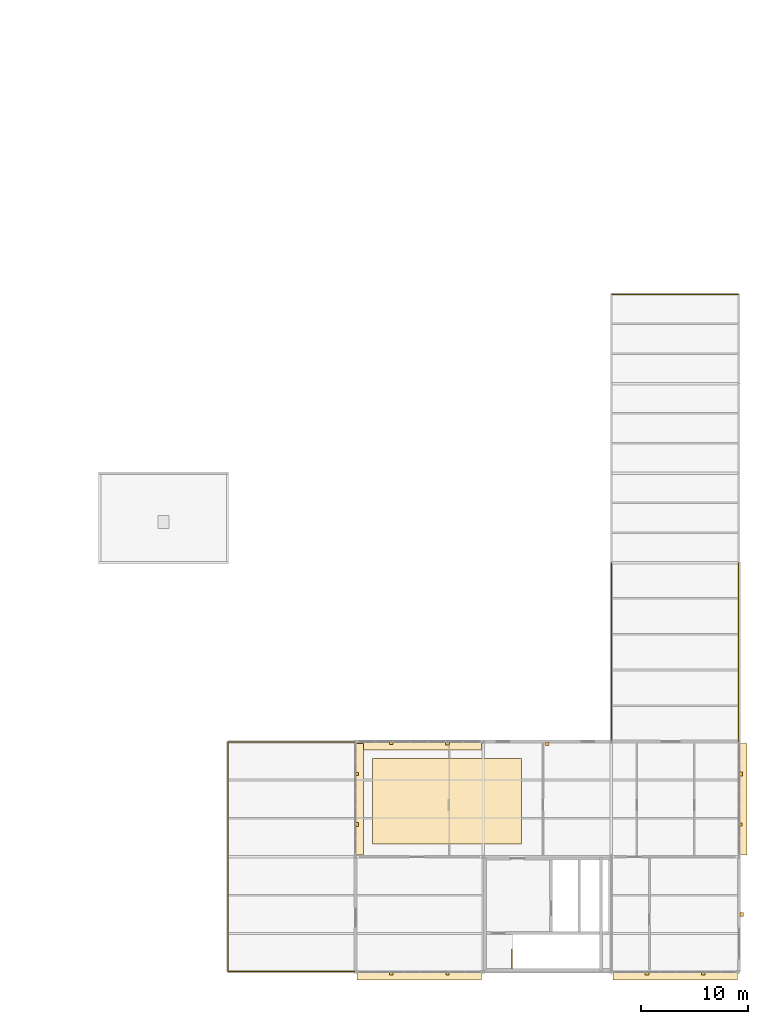
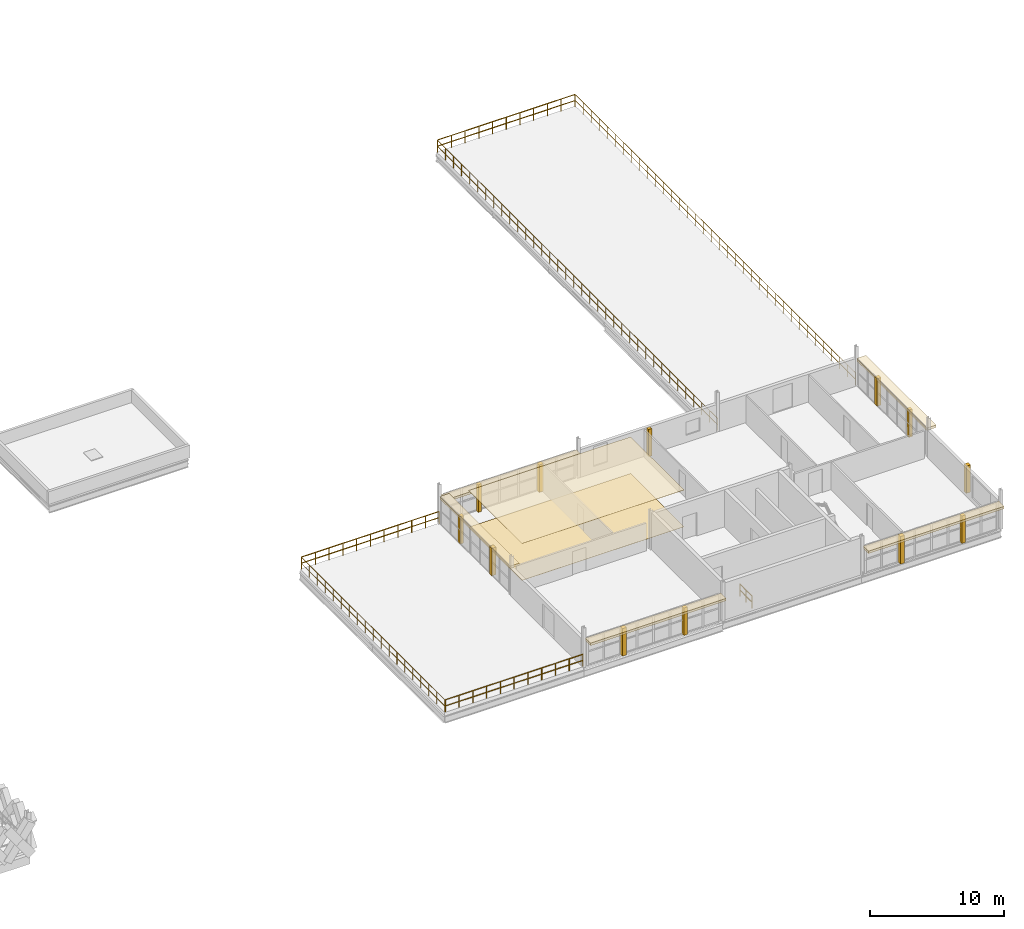
# One storey, part 62 of 62: 12 shading devices, 7 coverings, 7 railings.
"""IFC4 building model written with IfcOpenShell, lengths in metres."""

from ifc_helpers import new_model, si_unit, direction, frame, origin, origin_2d, place, context, subcontext, project, spatial, rectangle, circle, extrude, material, layer, layer_set, material_profile, profile_set, type_object, element, save


model = new_model("IFC4")

# Units and contexts
model_context = context("Model", 3, precision=1e-05, world=origin(), true_north=direction((0.0, 1.0)))
body_context = subcontext(model_context, "Body", "Model", "MODEL_VIEW")
ifc_project = project(units=[si_unit("LENGTHUNIT", "METRE"), si_unit("AREAUNIT", "SQUARE_METRE"), si_unit("VOLUMEUNIT", "CUBIC_METRE"), si_unit("PLANEANGLEUNIT", "RADIAN"), si_unit("MASSUNIT", "GRAM", prefix="KILO"), si_unit("THERMODYNAMICTEMPERATUREUNIT", "KELVIN"), si_unit("POWERUNIT", "WATT")], contexts=[model_context])

# Site, building, storey
site_placement = place(None, origin())
site = spatial("IfcSite", under=ifc_project, at=site_placement, CompositionType="ELEMENT")
building_placement = place(site_placement, origin())
building = spatial("IfcBuilding", under=site, at=building_placement, Name="Tembeka Court Mobility Hub", CompositionType="ELEMENT")
storey_placement = place(building_placement, frame((0.0, 0.0, 16.199951171875)))
storey = spatial("IfcBuildingStorey", under=building, at=storey_placement, Name="L04", CompositionType="ELEMENT", Elevation=16.199951171875)

# Coverings
ifc_material_1 = material(Name="Dressed ochre Nairobi volcanic-tuff cladding", Category="masonry")
ifc_layer_1 = layer(ifc_material_1, 0.0400390625)
ifc_layer_set_1 = layer_set([ifc_layer_1], Name="Dressed ochre Nairobi volcanic-tuff cladding")
covering_type_1 = type_object("IfcCoveringType", Name="COV-CD01", PredefinedType="CLADDING", material=ifc_layer_set_1)
for number, where, z_axis, x_axis, name in (
    (1, (146.39990234375, -0.360107421875, 2.30517578125), (0.0, 0.0, 1.0), (1.0, 0.0, 0.0), "Projecting volcanic-tuff solar hood CVD1-H034"),
    (2, (170.39990234375, -0.360107421875, 2.30517578125), (0.0, 0.0, 1.0), (1.0, 0.0, 0.0), "Projecting volcanic-tuff solar hood CVD1-H035"),
):
    element("IfcCovering", number, at=place(storey_placement, frame(where, z_axis=z_axis, x_axis=x_axis)), inside=storey, type_object=covering_type_1, Name=name, PredefinedType="CLADDING", context=body_context, shape_type="SweptSolid", body=[
        extrude(rectangle(XDim=11.699951171875, YDim=0.800048828125, at=origin_2d()), origin(), (0.0, 0.0, 1.0), 0.219970703125),
    ])
covering_1_placement = place(storey_placement, frame((176.760009765625, 16.199951171875, 2.30517578125), z_axis=(0.0, 0.0, 1.0), x_axis=(0.0, 1.0, 0.0)))
element("IfcCovering", 3, at=covering_1_placement, inside=storey, type_object=covering_type_1, Name="Projecting volcanic-tuff solar hood CVD1-H036", PredefinedType="CLADDING", context=body_context, shape_type="SweptSolid", body=[
    extrude(rectangle(XDim=10.5, YDim=0.800048828125, at=origin_2d()), origin(), (0.0, 0.0, 1.0), 0.219970703125),
])
covering_2_placement = place(storey_placement, frame((146.39990234375, 21.239990234375, 2.30517578125), z_axis=(0.0, 0.0, 1.0), x_axis=(1.0, 0.0, 0.0)))
element("IfcCovering", 4, at=covering_2_placement, inside=storey, type_object=covering_type_1, Name="Projecting volcanic-tuff solar hood CVD1-H037", PredefinedType="CLADDING", context=body_context, shape_type="SweptSolid", body=[
    extrude(rectangle(XDim=11.699951171875, YDim=0.800048828125, at=origin_2d()), origin(), (0.0, 0.0, 1.0), 0.219970703125),
])
covering_3_placement = place(storey_placement, frame((140.760009765625, 16.199951171875, 2.30517578125), z_axis=(0.0, 0.0, 1.0), x_axis=(0.0, 1.0, 0.0)))
element("IfcCovering", 5, at=covering_3_placement, inside=storey, type_object=covering_type_1, Name="Projecting volcanic-tuff solar hood CVD1-H038", PredefinedType="CLADDING", context=body_context, shape_type="SweptSolid", body=[
    extrude(rectangle(XDim=10.5, YDim=0.800048828125, at=origin_2d()), origin(), (0.0, 0.0, 1.0), 0.219970703125),
])
ifc_material_2 = material(Name="Perforated acoustic mineral-fibre ceiling tile", Category="masonry")
ifc_layer_2 = layer(ifc_material_2, 0.02490234375)
ifc_layer_set_2 = layer_set([ifc_layer_2], Name="Perforated acoustic mineral-fibre ceiling tile")
covering_type_2 = type_object("IfcCoveringType", Name="COV-CL01", PredefinedType="CEILING", material=ifc_layer_set_2)
covering_4_placement = place(storey_placement, frame((149.0, 16.0, 3.349609375), z_axis=(0.0, 0.0, 1.0), x_axis=(1.0, 0.0, 0.0)))
element("IfcCovering", 6, at=covering_4_placement, inside=storey, type_object=covering_type_2, Name="Acoustic ceiling panel CVC1-07", PredefinedType="CEILING", context=body_context, shape_type="SweptSolid", body=[
    extrude(rectangle(XDim=14.0, YDim=8.0, at=origin_2d()), origin(), (0.0, 0.0, 1.0), 0.02490234375),
])
ifc_material_3 = material(Name="Honed Nairobi granite concourse flooring", Category="masonry")
ifc_layer_3 = layer(ifc_material_3, 0.02001953125)
ifc_layer_set_3 = layer_set([ifc_layer_3], Name="Honed Nairobi granite concourse flooring")
covering_type_3 = type_object("IfcCoveringType", Name="COV-FL01", PredefinedType="FLOORING", material=ifc_layer_set_3)
covering_5_placement = place(storey_placement, frame((149.0, 16.0, -0.001953125), z_axis=(0.0, 0.0, 1.0), x_axis=(1.0, 0.0, 0.0)))
element("IfcCovering", 7, at=covering_5_placement, inside=storey, type_object=covering_type_3, Name="Honed granite floor finish CVF1-07", PredefinedType="FLOORING", context=body_context, shape_type="SweptSolid", body=[
    extrude(rectangle(XDim=14.0, YDim=8.0, at=origin_2d()), origin(), (0.0, 0.0, 1.0), 0.02001953125),
])

# Railings
ifc_material_4 = material(Name="Painted galvanised steel balustrade", Category="steel")
railing_type_1 = type_object("IfcRailingType", Name="RL-GR01", PredefinedType="GUARDRAIL", material=ifc_material_4)
railing_1_placement = place(storey_placement, frame((155.10009765625, 0.300048828125, 0.0)))
element("IfcRailing", 8, at=railing_1_placement, inside=storey, type_object=railing_type_1, Name="L04 ST06 top well guard 1-1", PredefinedType="GUARDRAIL", context=body_context, shape_type="SweptSolid", body=[
    extrude(circle(Radius=0.02392578125, at=origin_2d()), frame((0.0, 0.0, 1.09619140625), z_axis=(0.0, 1.0, 0.0), x_axis=(-1.0, 0.0, 0.0)), (0.0, 0.0, 1.0), 1.800048828125),
    extrude(circle(Radius=0.02392578125, at=origin_2d()), frame((0.0, 0.0, 0.5361328125), z_axis=(0.0, 1.0, 0.0), x_axis=(-1.0, 0.0, 0.0)), (0.0, 0.0, 1.0), 1.800048828125),
    extrude(circle(Radius=0.02099609375, at=origin_2d()), origin(), (0.0, 0.0, 1.0), 1.072021484375),
    extrude(circle(Radius=0.02099609375, at=origin_2d()), frame((0.0, 0.89990234375, 0.0)), (0.0, 0.0, 1.0), 1.072021484375),
    extrude(circle(Radius=0.02099609375, at=origin_2d()), frame((0.0, 1.800048828125, 0.0)), (0.0, 0.0, 1.0), 1.072021484375),
])
railing_type_2 = type_object("IfcRailingType", Name="RL-GR02", PredefinedType="GUARDRAIL", material=ifc_material_4)
railing_2_placement = place(storey_placement, frame((164.449951171875, 21.6298828125, 0.0)))
element("IfcRailing", 9, at=railing_2_placement, inside=storey, type_object=railing_type_2, Name="Perimeter guard GR02-0028", PredefinedType="GUARDRAIL", context=body_context, shape_type="SweptSolid", body=[
    extrude(circle(Radius=0.02392578125, at=origin_2d()), frame((0.0, 0.0, 1.09619140625), z_axis=(0.0, 1.0, 0.0), x_axis=(-1.0, 0.0, 0.0)), (0.0, 0.0, 1.0), 41.89013671875),
    extrude(circle(Radius=0.02392578125, at=origin_2d()), frame((0.0, 0.0, 0.5361328125), z_axis=(0.0, 1.0, 0.0), x_axis=(-1.0, 0.0, 0.0)), (0.0, 0.0, 1.0), 41.89013671875),
    extrude(circle(Radius=0.02099609375, at=origin_2d()), origin(), (0.0, 0.0, 1.0), 1.072021484375),
    extrude(circle(Radius=0.02099609375, at=origin_2d()), frame((0.0, 1.19677734375, 0.0)), (0.0, 0.0, 1.0), 1.072021484375),
    extrude(circle(Radius=0.02099609375, at=origin_2d()), frame((0.0, 2.393798828125, 0.0)), (0.0, 0.0, 1.0), 1.072021484375),
    extrude(circle(Radius=0.02099609375, at=origin_2d()), frame((0.0, 3.590576171875, 0.0)), (0.0, 0.0, 1.0), 1.072021484375),
    extrude(circle(Radius=0.02099609375, at=origin_2d()), frame((0.0, 4.787353515625, 0.0)), (0.0, 0.0, 1.0), 1.072021484375),
    extrude(circle(Radius=0.02099609375, at=origin_2d()), frame((0.0, 5.984375, 0.0)), (0.0, 0.0, 1.0), 1.072021484375),
    extrude(circle(Radius=0.02099609375, at=origin_2d()), frame((0.0, 7.18115234375, 0.0)), (0.0, 0.0, 1.0), 1.072021484375),
    extrude(circle(Radius=0.02099609375, at=origin_2d()), frame((0.0, 8.3779296875, 0.0)), (0.0, 0.0, 1.0), 1.072021484375),
    extrude(circle(Radius=0.02099609375, at=origin_2d()), frame((0.0, 9.574951171875, 0.0)), (0.0, 0.0, 1.0), 1.072021484375),
    extrude(circle(Radius=0.02099609375, at=origin_2d()), frame((0.0, 10.771728515625, 0.0)), (0.0, 0.0, 1.0), 1.072021484375),
    extrude(circle(Radius=0.02099609375, at=origin_2d()), frame((0.0, 11.968505859375, 0.0)), (0.0, 0.0, 1.0), 1.072021484375),
    extrude(circle(Radius=0.02099609375, at=origin_2d()), frame((0.0, 13.16552734375, 0.0)), (0.0, 0.0, 1.0), 1.072021484375),
    extrude(circle(Radius=0.02099609375, at=origin_2d()), frame((0.0, 14.3623046875, 0.0)), (0.0, 0.0, 1.0), 1.072021484375),
    extrude(circle(Radius=0.02099609375, at=origin_2d()), frame((0.0, 15.55908203125, 0.0)), (0.0, 0.0, 1.0), 1.072021484375),
    extrude(circle(Radius=0.02099609375, at=origin_2d()), frame((0.0, 16.756103515625, 0.0)), (0.0, 0.0, 1.0), 1.072021484375),
    extrude(circle(Radius=0.02099609375, at=origin_2d()), frame((0.0, 17.952880859375, 0.0)), (0.0, 0.0, 1.0), 1.072021484375),
    extrude(circle(Radius=0.02099609375, at=origin_2d()), frame((0.0, 19.149658203125, 0.0)), (0.0, 0.0, 1.0), 1.072021484375),
    extrude(circle(Radius=0.02099609375, at=origin_2d()), frame((0.0, 20.3466796875, 0.0)), (0.0, 0.0, 1.0), 1.072021484375),
    extrude(circle(Radius=0.02099609375, at=origin_2d()), frame((0.0, 21.54345703125, 0.0)), (0.0, 0.0, 1.0), 1.072021484375),
    extrude(circle(Radius=0.02099609375, at=origin_2d()), frame((0.0, 22.740478515625, 0.0)), (0.0, 0.0, 1.0), 1.072021484375),
    extrude(circle(Radius=0.02099609375, at=origin_2d()), frame((0.0, 23.937255859375, 0.0)), (0.0, 0.0, 1.0), 1.072021484375),
    extrude(circle(Radius=0.02099609375, at=origin_2d()), frame((0.0, 25.134033203125, 0.0)), (0.0, 0.0, 1.0), 1.072021484375),
    extrude(circle(Radius=0.02099609375, at=origin_2d()), frame((0.0, 26.3310546875, 0.0)), (0.0, 0.0, 1.0), 1.072021484375),
    extrude(circle(Radius=0.02099609375, at=origin_2d()), frame((0.0, 27.52783203125, 0.0)), (0.0, 0.0, 1.0), 1.072021484375),
    extrude(circle(Radius=0.02099609375, at=origin_2d()), frame((0.0, 28.724609375, 0.0)), (0.0, 0.0, 1.0), 1.072021484375),
    extrude(circle(Radius=0.02099609375, at=origin_2d()), frame((0.0, 29.921630859375, 0.0)), (0.0, 0.0, 1.0), 1.072021484375),
    extrude(circle(Radius=0.02099609375, at=origin_2d()), frame((0.0, 31.118408203125, 0.0)), (0.0, 0.0, 1.0), 1.072021484375),
    extrude(circle(Radius=0.02099609375, at=origin_2d()), frame((0.0, 32.315185546875, 0.0)), (0.0, 0.0, 1.0), 1.072021484375),
    extrude(circle(Radius=0.02099609375, at=origin_2d()), frame((0.0, 33.51220703125, 0.0)), (0.0, 0.0, 1.0), 1.072021484375),
    extrude(circle(Radius=0.02099609375, at=origin_2d()), frame((0.0, 34.708984375, 0.0)), (0.0, 0.0, 1.0), 1.072021484375),
    extrude(circle(Radius=0.02099609375, at=origin_2d()), frame((0.0, 35.90576171875, 0.0)), (0.0, 0.0, 1.0), 1.072021484375),
    extrude(circle(Radius=0.02099609375, at=origin_2d()), frame((0.0, 37.102783203125, 0.0)), (0.0, 0.0, 1.0), 1.072021484375),
    extrude(circle(Radius=0.02099609375, at=origin_2d()), frame((0.0, 38.299560546875, 0.0)), (0.0, 0.0, 1.0), 1.072021484375),
    extrude(circle(Radius=0.02099609375, at=origin_2d()), frame((0.0, 39.496337890625, 0.0)), (0.0, 0.0, 1.0), 1.072021484375),
    extrude(circle(Radius=0.02099609375, at=origin_2d()), frame((0.0, 40.693359375, 0.0)), (0.0, 0.0, 1.0), 1.072021484375),
    extrude(circle(Radius=0.02099609375, at=origin_2d()), frame((0.0, 41.89013671875, 0.0)), (0.0, 0.0, 1.0), 1.072021484375),
])
railing_3_placement = place(storey_placement, frame((164.47998046875, 63.550048828125, 0.0)))
element("IfcRailing", 10, at=railing_3_placement, inside=storey, type_object=railing_type_2, Name="Perimeter guard GR02-0029", PredefinedType="GUARDRAIL", context=body_context, shape_type="SweptSolid", body=[
    extrude(circle(Radius=0.02392578125, at=origin_2d()), frame((0.0, 0.0, 1.09619140625), z_axis=(1.0, 0.0, 0.0), x_axis=(0.0, 1.0, 0.0)), (0.0, 0.0, 1.0), 11.840087890625),
    extrude(circle(Radius=0.02392578125, at=origin_2d()), frame((0.0, 0.0, 0.5361328125), z_axis=(1.0, 0.0, 0.0), x_axis=(0.0, 1.0, 0.0)), (0.0, 0.0, 1.0), 11.840087890625),
    extrude(circle(Radius=0.02099609375, at=origin_2d()), origin(), (0.0, 0.0, 1.0), 1.072021484375),
    extrude(circle(Radius=0.02099609375, at=origin_2d()), frame((1.18408203125, 0.0, 0.0)), (0.0, 0.0, 1.0), 1.072021484375),
    extrude(circle(Radius=0.02099609375, at=origin_2d()), frame((2.367919921875, 0.0, 0.0)), (0.0, 0.0, 1.0), 1.072021484375),
    extrude(circle(Radius=0.02099609375, at=origin_2d()), frame((3.552001953125, 0.0, 0.0)), (0.0, 0.0, 1.0), 1.072021484375),
    extrude(circle(Radius=0.02099609375, at=origin_2d()), frame((4.736083984375, 0.0, 0.0)), (0.0, 0.0, 1.0), 1.072021484375),
    extrude(circle(Radius=0.02099609375, at=origin_2d()), frame((5.919921875, 0.0, 0.0)), (0.0, 0.0, 1.0), 1.072021484375),
    extrude(circle(Radius=0.02099609375, at=origin_2d()), frame((7.10400390625, 0.0, 0.0)), (0.0, 0.0, 1.0), 1.072021484375),
    extrude(circle(Radius=0.02099609375, at=origin_2d()), frame((8.2880859375, 0.0, 0.0)), (0.0, 0.0, 1.0), 1.072021484375),
    extrude(circle(Radius=0.02099609375, at=origin_2d()), frame((9.47216796875, 0.0, 0.0)), (0.0, 0.0, 1.0), 1.072021484375),
    extrude(circle(Radius=0.02099609375, at=origin_2d()), frame((10.656005859375, 0.0, 0.0)), (0.0, 0.0, 1.0), 1.072021484375),
    extrude(circle(Radius=0.02099609375, at=origin_2d()), frame((11.840087890625, 0.0, 0.0)), (0.0, 0.0, 1.0), 1.072021484375),
])
railing_4_placement = place(storey_placement, frame((176.35009765625, 63.52001953125, 0.0)))
element("IfcRailing", 11, at=railing_4_placement, inside=storey, type_object=railing_type_2, Name="Perimeter guard GR02-0030", PredefinedType="GUARDRAIL", context=body_context, shape_type="SweptSolid", body=[
    extrude(circle(Radius=0.02392578125, at=origin_2d()), frame((0.0, 0.0, 1.09619140625), z_axis=(0.0, -1.0, 0.0), x_axis=(1.0, 0.0, 0.0)), (0.0, 0.0, 1.0), 41.89013671875),
    extrude(circle(Radius=0.02392578125, at=origin_2d()), frame((0.0, 0.0, 0.5361328125), z_axis=(0.0, -1.0, 0.0), x_axis=(1.0, 0.0, 0.0)), (0.0, 0.0, 1.0), 41.89013671875),
    extrude(circle(Radius=0.02099609375, at=origin_2d()), origin(), (0.0, 0.0, 1.0), 1.072021484375),
    extrude(circle(Radius=0.02099609375, at=origin_2d()), frame((0.0, -1.19677734375, 0.0)), (0.0, 0.0, 1.0), 1.072021484375),
    extrude(circle(Radius=0.02099609375, at=origin_2d()), frame((0.0, -2.393798828125, 0.0)), (0.0, 0.0, 1.0), 1.072021484375),
    extrude(circle(Radius=0.02099609375, at=origin_2d()), frame((0.0, -3.590576171875, 0.0)), (0.0, 0.0, 1.0), 1.072021484375),
    extrude(circle(Radius=0.02099609375, at=origin_2d()), frame((0.0, -4.787353515625, 0.0)), (0.0, 0.0, 1.0), 1.072021484375),
    extrude(circle(Radius=0.02099609375, at=origin_2d()), frame((0.0, -5.984375, 0.0)), (0.0, 0.0, 1.0), 1.072021484375),
    extrude(circle(Radius=0.02099609375, at=origin_2d()), frame((0.0, -7.18115234375, 0.0)), (0.0, 0.0, 1.0), 1.072021484375),
    extrude(circle(Radius=0.02099609375, at=origin_2d()), frame((0.0, -8.3779296875, 0.0)), (0.0, 0.0, 1.0), 1.072021484375),
    extrude(circle(Radius=0.02099609375, at=origin_2d()), frame((0.0, -9.574951171875, 0.0)), (0.0, 0.0, 1.0), 1.072021484375),
    extrude(circle(Radius=0.02099609375, at=origin_2d()), frame((0.0, -10.771728515625, 0.0)), (0.0, 0.0, 1.0), 1.072021484375),
    extrude(circle(Radius=0.02099609375, at=origin_2d()), frame((0.0, -11.968505859375, 0.0)), (0.0, 0.0, 1.0), 1.072021484375),
    extrude(circle(Radius=0.02099609375, at=origin_2d()), frame((0.0, -13.16552734375, 0.0)), (0.0, 0.0, 1.0), 1.072021484375),
    extrude(circle(Radius=0.02099609375, at=origin_2d()), frame((0.0, -14.3623046875, 0.0)), (0.0, 0.0, 1.0), 1.072021484375),
    extrude(circle(Radius=0.02099609375, at=origin_2d()), frame((0.0, -15.55908203125, 0.0)), (0.0, 0.0, 1.0), 1.072021484375),
    extrude(circle(Radius=0.02099609375, at=origin_2d()), frame((0.0, -16.756103515625, 0.0)), (0.0, 0.0, 1.0), 1.072021484375),
    extrude(circle(Radius=0.02099609375, at=origin_2d()), frame((0.0, -17.952880859375, 0.0)), (0.0, 0.0, 1.0), 1.072021484375),
    extrude(circle(Radius=0.02099609375, at=origin_2d()), frame((0.0, -19.149658203125, 0.0)), (0.0, 0.0, 1.0), 1.072021484375),
    extrude(circle(Radius=0.02099609375, at=origin_2d()), frame((0.0, -20.3466796875, 0.0)), (0.0, 0.0, 1.0), 1.072021484375),
    extrude(circle(Radius=0.02099609375, at=origin_2d()), frame((0.0, -21.54345703125, 0.0)), (0.0, 0.0, 1.0), 1.072021484375),
    extrude(circle(Radius=0.02099609375, at=origin_2d()), frame((0.0, -22.740478515625, 0.0)), (0.0, 0.0, 1.0), 1.072021484375),
    extrude(circle(Radius=0.02099609375, at=origin_2d()), frame((0.0, -23.937255859375, 0.0)), (0.0, 0.0, 1.0), 1.072021484375),
    extrude(circle(Radius=0.02099609375, at=origin_2d()), frame((0.0, -25.134033203125, 0.0)), (0.0, 0.0, 1.0), 1.072021484375),
    extrude(circle(Radius=0.02099609375, at=origin_2d()), frame((0.0, -26.3310546875, 0.0)), (0.0, 0.0, 1.0), 1.072021484375),
    extrude(circle(Radius=0.02099609375, at=origin_2d()), frame((0.0, -27.52783203125, 0.0)), (0.0, 0.0, 1.0), 1.072021484375),
    extrude(circle(Radius=0.02099609375, at=origin_2d()), frame((0.0, -28.724609375, 0.0)), (0.0, 0.0, 1.0), 1.072021484375),
    extrude(circle(Radius=0.02099609375, at=origin_2d()), frame((0.0, -29.921630859375, 0.0)), (0.0, 0.0, 1.0), 1.072021484375),
    extrude(circle(Radius=0.02099609375, at=origin_2d()), frame((0.0, -31.118408203125, 0.0)), (0.0, 0.0, 1.0), 1.072021484375),
    extrude(circle(Radius=0.02099609375, at=origin_2d()), frame((0.0, -32.315185546875, 0.0)), (0.0, 0.0, 1.0), 1.072021484375),
    extrude(circle(Radius=0.02099609375, at=origin_2d()), frame((0.0, -33.51220703125, 0.0)), (0.0, 0.0, 1.0), 1.072021484375),
    extrude(circle(Radius=0.02099609375, at=origin_2d()), frame((0.0, -34.708984375, 0.0)), (0.0, 0.0, 1.0), 1.072021484375),
    extrude(circle(Radius=0.02099609375, at=origin_2d()), frame((0.0, -35.90576171875, 0.0)), (0.0, 0.0, 1.0), 1.072021484375),
    extrude(circle(Radius=0.02099609375, at=origin_2d()), frame((0.0, -37.102783203125, 0.0)), (0.0, 0.0, 1.0), 1.072021484375),
    extrude(circle(Radius=0.02099609375, at=origin_2d()), frame((0.0, -38.299560546875, 0.0)), (0.0, 0.0, 1.0), 1.072021484375),
    extrude(circle(Radius=0.02099609375, at=origin_2d()), frame((0.0, -39.496337890625, 0.0)), (0.0, 0.0, 1.0), 1.072021484375),
    extrude(circle(Radius=0.02099609375, at=origin_2d()), frame((0.0, -40.693359375, 0.0)), (0.0, 0.0, 1.0), 1.072021484375),
    extrude(circle(Radius=0.02099609375, at=origin_2d()), frame((0.0, -41.89013671875, 0.0)), (0.0, 0.0, 1.0), 1.072021484375),
])
railing_5_placement = place(storey_placement, frame((140.3701171875, 0.050048828125, 0.0)))
element("IfcRailing", 12, at=railing_5_placement, inside=storey, type_object=railing_type_2, Name="Perimeter guard GR02-0031", PredefinedType="GUARDRAIL", context=body_context, shape_type="SweptSolid", body=[
    extrude(circle(Radius=0.02392578125, at=origin_2d()), frame((0.0, 0.0, 1.09619140625), z_axis=(-1.0, 0.0, 0.0), x_axis=(0.0, -1.0, 0.0)), (0.0, 0.0, 1.0), 11.89013671875),
    extrude(circle(Radius=0.02392578125, at=origin_2d()), frame((0.0, 0.0, 0.5361328125), z_axis=(-1.0, 0.0, 0.0), x_axis=(0.0, -1.0, 0.0)), (0.0, 0.0, 1.0), 11.89013671875),
    extrude(circle(Radius=0.02099609375, at=origin_2d()), origin(), (0.0, 0.0, 1.0), 1.072021484375),
    extrude(circle(Radius=0.02099609375, at=origin_2d()), frame((-1.18896484375, 0.0, 0.0)), (0.0, 0.0, 1.0), 1.072021484375),
    extrude(circle(Radius=0.02099609375, at=origin_2d()), frame((-2.3779296875, 0.0, 0.0)), (0.0, 0.0, 1.0), 1.072021484375),
    extrude(circle(Radius=0.02099609375, at=origin_2d()), frame((-3.567138671875, 0.0, 0.0)), (0.0, 0.0, 1.0), 1.072021484375),
    extrude(circle(Radius=0.02099609375, at=origin_2d()), frame((-4.756103515625, 0.0, 0.0)), (0.0, 0.0, 1.0), 1.072021484375),
    extrude(circle(Radius=0.02099609375, at=origin_2d()), frame((-5.945068359375, 0.0, 0.0)), (0.0, 0.0, 1.0), 1.072021484375),
    extrude(circle(Radius=0.02099609375, at=origin_2d()), frame((-7.134033203125, 0.0, 0.0)), (0.0, 0.0, 1.0), 1.072021484375),
    extrude(circle(Radius=0.02099609375, at=origin_2d()), frame((-8.322998046875, 0.0, 0.0)), (0.0, 0.0, 1.0), 1.072021484375),
    extrude(circle(Radius=0.02099609375, at=origin_2d()), frame((-9.51220703125, 0.0, 0.0)), (0.0, 0.0, 1.0), 1.072021484375),
    extrude(circle(Radius=0.02099609375, at=origin_2d()), frame((-10.701171875, 0.0, 0.0)), (0.0, 0.0, 1.0), 1.072021484375),
    extrude(circle(Radius=0.02099609375, at=origin_2d()), frame((-11.89013671875, 0.0, 0.0)), (0.0, 0.0, 1.0), 1.072021484375),
])
railing_6_placement = place(storey_placement, frame((128.449951171875, 0.080078125, 0.0)))
element("IfcRailing", 13, at=railing_6_placement, inside=storey, type_object=railing_type_2, Name="Perimeter guard GR02-0032", PredefinedType="GUARDRAIL", context=body_context, shape_type="SweptSolid", body=[
    extrude(circle(Radius=0.02392578125, at=origin_2d()), frame((0.0, 0.0, 1.09619140625), z_axis=(0.0, 1.0, 0.0), x_axis=(-1.0, 0.0, 0.0)), (0.0, 0.0, 1.0), 21.43994140625),
    extrude(circle(Radius=0.02392578125, at=origin_2d()), frame((0.0, 0.0, 0.5361328125), z_axis=(0.0, 1.0, 0.0), x_axis=(-1.0, 0.0, 0.0)), (0.0, 0.0, 1.0), 21.43994140625),
    extrude(circle(Radius=0.02099609375, at=origin_2d()), origin(), (0.0, 0.0, 1.0), 1.072021484375),
    extrude(circle(Radius=0.02099609375, at=origin_2d()), frame((0.0, 1.191162109375, 0.0)), (0.0, 0.0, 1.0), 1.072021484375),
    extrude(circle(Radius=0.02099609375, at=origin_2d()), frame((0.0, 2.38232421875, 0.0)), (0.0, 0.0, 1.0), 1.072021484375),
    extrude(circle(Radius=0.02099609375, at=origin_2d()), frame((0.0, 3.5732421875, 0.0)), (0.0, 0.0, 1.0), 1.072021484375),
    extrude(circle(Radius=0.02099609375, at=origin_2d()), frame((0.0, 4.764404296875, 0.0)), (0.0, 0.0, 1.0), 1.072021484375),
    extrude(circle(Radius=0.02099609375, at=origin_2d()), frame((0.0, 5.95556640625, 0.0)), (0.0, 0.0, 1.0), 1.072021484375),
    extrude(circle(Radius=0.02099609375, at=origin_2d()), frame((0.0, 7.146728515625, 0.0)), (0.0, 0.0, 1.0), 1.072021484375),
    extrude(circle(Radius=0.02099609375, at=origin_2d()), frame((0.0, 8.337646484375, 0.0)), (0.0, 0.0, 1.0), 1.072021484375),
    extrude(circle(Radius=0.02099609375, at=origin_2d()), frame((0.0, 9.52880859375, 0.0)), (0.0, 0.0, 1.0), 1.072021484375),
    extrude(circle(Radius=0.02099609375, at=origin_2d()), frame((0.0, 10.719970703125, 0.0)), (0.0, 0.0, 1.0), 1.072021484375),
    extrude(circle(Radius=0.02099609375, at=origin_2d()), frame((0.0, 11.9111328125, 0.0)), (0.0, 0.0, 1.0), 1.072021484375),
    extrude(circle(Radius=0.02099609375, at=origin_2d()), frame((0.0, 13.102294921875, 0.0)), (0.0, 0.0, 1.0), 1.072021484375),
    extrude(circle(Radius=0.02099609375, at=origin_2d()), frame((0.0, 14.293212890625, 0.0)), (0.0, 0.0, 1.0), 1.072021484375),
    extrude(circle(Radius=0.02099609375, at=origin_2d()), frame((0.0, 15.484375, 0.0)), (0.0, 0.0, 1.0), 1.072021484375),
    extrude(circle(Radius=0.02099609375, at=origin_2d()), frame((0.0, 16.675537109375, 0.0)), (0.0, 0.0, 1.0), 1.072021484375),
    extrude(circle(Radius=0.02099609375, at=origin_2d()), frame((0.0, 17.86669921875, 0.0)), (0.0, 0.0, 1.0), 1.072021484375),
    extrude(circle(Radius=0.02099609375, at=origin_2d()), frame((0.0, 19.0576171875, 0.0)), (0.0, 0.0, 1.0), 1.072021484375),
    extrude(circle(Radius=0.02099609375, at=origin_2d()), frame((0.0, 20.248779296875, 0.0)), (0.0, 0.0, 1.0), 1.072021484375),
    extrude(circle(Radius=0.02099609375, at=origin_2d()), frame((0.0, 21.43994140625, 0.0)), (0.0, 0.0, 1.0), 1.072021484375),
])
railing_7_placement = place(storey_placement, frame((128.47998046875, 21.550048828125, 0.0)))
element("IfcRailing", 14, at=railing_7_placement, inside=storey, type_object=railing_type_2, Name="Perimeter guard GR02-0033", PredefinedType="GUARDRAIL", context=body_context, shape_type="SweptSolid", body=[
    extrude(circle(Radius=0.02392578125, at=origin_2d()), frame((0.0, 0.0, 1.09619140625), z_axis=(1.0, 0.0, 0.0), x_axis=(0.0, 1.0, 0.0)), (0.0, 0.0, 1.0), 11.89013671875),
    extrude(circle(Radius=0.02392578125, at=origin_2d()), frame((0.0, 0.0, 0.5361328125), z_axis=(1.0, 0.0, 0.0), x_axis=(0.0, 1.0, 0.0)), (0.0, 0.0, 1.0), 11.89013671875),
    extrude(circle(Radius=0.02099609375, at=origin_2d()), origin(), (0.0, 0.0, 1.0), 1.072021484375),
    extrude(circle(Radius=0.02099609375, at=origin_2d()), frame((1.18896484375, 0.0, 0.0)), (0.0, 0.0, 1.0), 1.072021484375),
    extrude(circle(Radius=0.02099609375, at=origin_2d()), frame((2.3779296875, 0.0, 0.0)), (0.0, 0.0, 1.0), 1.072021484375),
    extrude(circle(Radius=0.02099609375, at=origin_2d()), frame((3.567138671875, 0.0, 0.0)), (0.0, 0.0, 1.0), 1.072021484375),
    extrude(circle(Radius=0.02099609375, at=origin_2d()), frame((4.756103515625, 0.0, 0.0)), (0.0, 0.0, 1.0), 1.072021484375),
    extrude(circle(Radius=0.02099609375, at=origin_2d()), frame((5.945068359375, 0.0, 0.0)), (0.0, 0.0, 1.0), 1.072021484375),
    extrude(circle(Radius=0.02099609375, at=origin_2d()), frame((7.134033203125, 0.0, 0.0)), (0.0, 0.0, 1.0), 1.072021484375),
    extrude(circle(Radius=0.02099609375, at=origin_2d()), frame((8.322998046875, 0.0, 0.0)), (0.0, 0.0, 1.0), 1.072021484375),
    extrude(circle(Radius=0.02099609375, at=origin_2d()), frame((9.51220703125, 0.0, 0.0)), (0.0, 0.0, 1.0), 1.072021484375),
    extrude(circle(Radius=0.02099609375, at=origin_2d()), frame((10.701171875, 0.0, 0.0)), (0.0, 0.0, 1.0), 1.072021484375),
    extrude(circle(Radius=0.02099609375, at=origin_2d()), frame((11.89013671875, 0.0, 0.0)), (0.0, 0.0, 1.0), 1.072021484375),
])

# Shading devices
ifc_material_5 = material(Name="Bronze-anodised aluminium 6063-T6", Category="aluminium")
ifc_material_profile_1 = material_profile(ifc_material_5, rectangle(XDim=0.360107421875, YDim=0.360107421875, at=origin_2d()), Name="ALU-FIN 360x360")
ifc_profile_set_1 = profile_set([ifc_material_profile_1], Name="Bronze-anodised aluminium 6063-T6")
shading_device_type_1 = type_object("IfcShadingDeviceType", Name="SHD-FN01", PredefinedType="JALOUSIE", material=ifc_profile_set_1)
for number, where, z_axis, x_axis, name in (
    (15, (143.760009765625, -0.1201171875, 0.0), (0.0, 0.0, 1.0), (1.0, 0.0, 0.0), "Equatorial solar shading fin FN01-078"),
    (16, (167.760009765625, -0.1201171875, 0.0), (0.0, 0.0, 1.0), (1.0, 0.0, 0.0), "Equatorial solar shading fin FN01-080"),
):
    element("IfcShadingDevice", number, at=place(storey_placement, frame(where, z_axis=z_axis, x_axis=x_axis)), inside=storey, type_object=shading_device_type_1, Name=name, PredefinedType="JALOUSIE", context=body_context, shape_type="SweptSolid", body=[
        extrude(rectangle(XDim=0.360107421875, YDim=0.360107421875, at=origin_2d()), origin(), (0.0, 0.0, 1.0), 2.51513671875),
    ])
shading_device_1_placement = place(storey_placement, frame((176.639892578125, 5.39990234375, 0.0), z_axis=(0.0, 0.0, 1.0), x_axis=(1.0, 0.0, 0.0)))
element("IfcShadingDevice", 17, at=shading_device_1_placement, inside=storey, type_object=shading_device_type_1, Name="Equatorial solar shading fin FN01-082", PredefinedType="JALOUSIE", context=body_context, shape_type="SweptSolid", body=[
    extrude(rectangle(XDim=0.360107421875, YDim=0.360107421875, at=origin_2d()), origin(), (0.0, 0.0, 1.0), 2.485107421875),
])
for number, where, z_axis, x_axis, name in (
    (18, (176.52001953125, 18.575927734375, 0.0), (0.0, 0.0, 1.0), (1.0, 0.0, 0.0), "Equatorial solar shading fin FN01-084"),
    (19, (149.0400390625, 21.47998046875, 0.0), (0.0, 0.0, 1.0), (1.0, 0.0, 0.0), "Equatorial solar shading fin FN01-086"),
    (20, (140.52001953125, 13.823974609375, 0.0), (0.0, 0.0, 1.0), (1.0, 0.0, 0.0), "Equatorial solar shading fin FN01-088"),
):
    element("IfcShadingDevice", number, at=place(storey_placement, frame(where, z_axis=z_axis, x_axis=x_axis)), inside=storey, type_object=shading_device_type_1, Name=name, PredefinedType="JALOUSIE", context=body_context, shape_type="SweptSolid", body=[
        extrude(rectangle(XDim=0.360107421875, YDim=0.360107421875, at=origin_2d()), origin(), (0.0, 0.0, 1.0), 2.51513671875),
    ])
ifc_material_profile_2 = material_profile(ifc_material_5, rectangle(XDim=0.300048828125, YDim=0.300048828125, at=origin_2d()), Name="ALU-LVR 300x300")
ifc_profile_set_2 = profile_set([ifc_material_profile_2], Name="Bronze-anodised aluminium 6063-T6")
shading_device_type_2 = type_object("IfcShadingDeviceType", Name="SHD-LV01", PredefinedType="SHUTTER", material=ifc_profile_set_2)
for number, where, z_axis, x_axis, name in (
    (21, (149.0400390625, -0.1201171875, 0.0), (0.0, 0.0, 1.0), (1.0, 0.0, 0.0), "Equatorial solar shading fin LV01-079"),
    (22, (173.0400390625, -0.1201171875, 0.0), (0.0, 0.0, 1.0), (1.0, 0.0, 0.0), "Equatorial solar shading fin LV01-081"),
    (23, (176.52001953125, 13.823974609375, 0.0), (0.0, 0.0, 1.0), (1.0, 0.0, 0.0), "Equatorial solar shading fin LV01-083"),
    (24, (143.760009765625, 21.47998046875, 0.0), (0.0, 0.0, 1.0), (1.0, 0.0, 0.0), "Equatorial solar shading fin LV01-085"),
):
    element("IfcShadingDevice", number, at=place(storey_placement, frame(where, z_axis=z_axis, x_axis=x_axis)), inside=storey, type_object=shading_device_type_2, Name=name, PredefinedType="SHUTTER", context=body_context, shape_type="SweptSolid", body=[
        extrude(rectangle(XDim=0.300048828125, YDim=0.300048828125, at=origin_2d()), origin(), (0.0, 0.0, 1.0), 2.51513671875),
    ])
shading_device_2_placement = place(storey_placement, frame((158.39990234375, 21.389892578125, 0.0), z_axis=(0.0, 0.0, 1.0), x_axis=(1.0, 0.0, 0.0)))
element("IfcShadingDevice", 25, at=shading_device_2_placement, inside=storey, type_object=shading_device_type_2, Name="Equatorial solar shading fin LV01-087", PredefinedType="SHUTTER", context=body_context, shape_type="SweptSolid", body=[
    extrude(rectangle(XDim=0.300048828125, YDim=0.300048828125, at=origin_2d()), origin(), (0.0, 0.0, 1.0), 2.485107421875),
])
shading_device_3_placement = place(storey_placement, frame((140.52001953125, 18.575927734375, 0.0), z_axis=(0.0, 0.0, 1.0), x_axis=(1.0, 0.0, 0.0)))
element("IfcShadingDevice", 26, at=shading_device_3_placement, inside=storey, type_object=shading_device_type_2, Name="Equatorial solar shading fin LV01-089", PredefinedType="SHUTTER", context=body_context, shape_type="SweptSolid", body=[
    extrude(rectangle(XDim=0.300048828125, YDim=0.300048828125, at=origin_2d()), origin(), (0.0, 0.0, 1.0), 2.51513671875),
])

save(model, "model.ifc")
